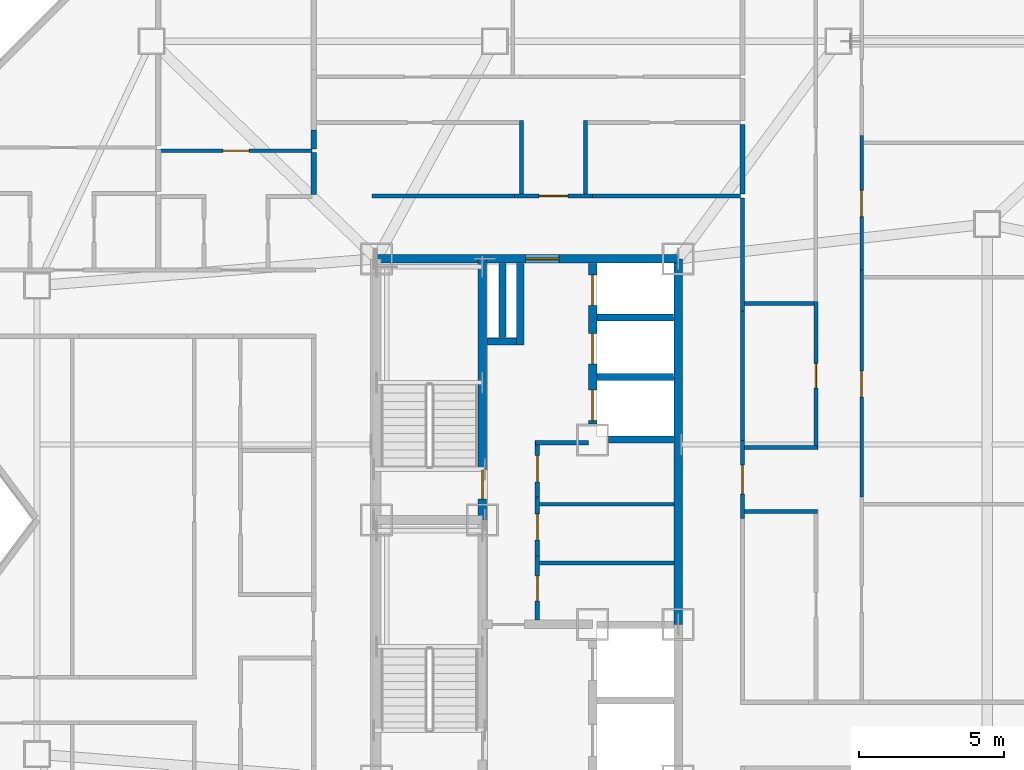
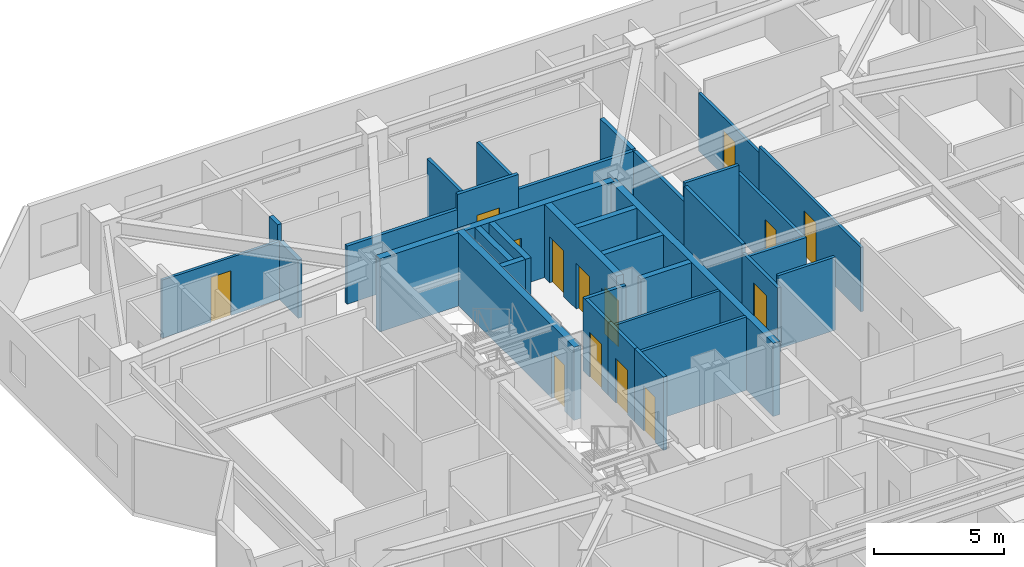
# One storey, part 8 of 13: 34 walls, 14 doors, 14 openings.
"""IFC4 building model written with IfcOpenShell, lengths in metres."""

from ifc_helpers import new_model, si_unit, direction, frame, frame_2d, origin, place, context, subcontext, project, spatial, rectangle, extrude, material, layer, layer_set, type_object, element, fill, save


model = new_model("IFC4")

# Units and contexts
model_context = context("Model", 3, precision=1e-05, world=origin(), true_north=direction((0.0, 1.0)))
body_context = subcontext(model_context, "Body", "Model", "MODEL_VIEW")
ifc_project = project(units=[si_unit("LENGTHUNIT", "METRE"), si_unit("AREAUNIT", "SQUARE_METRE"), si_unit("VOLUMEUNIT", "CUBIC_METRE"), si_unit("PLANEANGLEUNIT", "RADIAN"), si_unit("MASSUNIT", "GRAM", prefix="KILO")], contexts=[model_context])

# Site, building, storey
site_placement = place(None, origin())
site = spatial("IfcSite", under=ifc_project, at=site_placement, CompositionType="ELEMENT")
building_placement = place(site_placement, origin())
building = spatial("IfcBuilding", under=site, at=building_placement, Name="Khamvora Tower", CompositionType="ELEMENT")
storey_placement = place(building_placement, frame((0.0, 0.0, 196.050048828125)))
storey = spatial("IfcBuildingStorey", under=building, at=storey_placement, Name="L50", CompositionType="ELEMENT", Elevation=196.050048828125)

# Wall, opening, door
ifc_material_1 = material(Name="Concrete C50/60", Category="concrete")
ifc_layer_1 = layer(ifc_material_1, 0.300048828125)
ifc_layer_set_1 = layer_set([ifc_layer_1], Name="Concrete C50/60")
wall_type_1 = type_object("IfcWallType", Name="WAL-CORE-300", PredefinedType="SHEAR", material=ifc_layer_set_1)
wall_1_placement = place(storey_placement, frame((29.0, 37.0, 0.0), z_axis=(0.0, 0.0, 1.0), x_axis=(1.0, 0.0, 0.0)))
wall_1 = element("IfcWall", 1, at=wall_1_placement, inside=storey, type_object=wall_type_1, Name="L50 central core north wall", PredefinedType="SHEAR", context=body_context, shape_type="SweptSolid", body=[
    extrude(rectangle(XDim=10.39990234375, YDim=0.300048828125, at=frame_2d((5.199951171875, 0.0))), origin(), (0.0, 0.0, 1.0), 3.429931640625),
])
opening_1_placement = place(wall_1_placement, frame((5.139892578125, 0.0, 0.0)))
opening_1 = element("IfcOpeningElement", 2, at=opening_1_placement, cuts=wall_1, Name="Opening D-SC1", PredefinedType="OPENING", context=body_context, shape_type="SweptSolid", body=[
    extrude(rectangle(XDim=1.14990234375, YDim=2.199951171875, at=frame_2d((0.574951171875, 1.10009765625))), frame((0.0, 0.159912109375, 0.0), z_axis=(0.0, -1.0, 0.0), x_axis=(1.0, 0.0, 0.0)), (0.0, 0.0, 1.0), 0.320068359375),
])
ifc_material_2 = material(Name="Powder-Coated Steel and Hardwood Leaf", Category="steel")
door_type_1 = type_object("IfcDoorType", Name="DOR-SCHL-1150", OperationType="NOTDEFINED", PredefinedType="DOOR", material=ifc_material_2)
door_1_placement = place(opening_1_placement, origin())
door_1 = element("IfcDoor", 3, at=door_1_placement, inside=storey, type_object=door_type_1, Name="L50 north core lobby to corridor fire door", OperationType="SINGLE_SWING_RIGHT", OverallHeight=2.199951171875, OverallWidth=1.14990234375, PredefinedType="DOOR", context=body_context, shape_type="SweptSolid", body=[
    extrude(rectangle(XDim=1.14990234375, YDim=2.199951171875, at=frame_2d((0.574951171875, 1.10009765625))), frame((0.0, 0.02490234375, 0.0), z_axis=(0.0, -1.0, 0.0), x_axis=(1.0, 0.0, 0.0)), (0.0, 0.0, 1.0), 0.050048828125),
])
fill(opening_1, door_1)

# Wall
wall_2_placement = place(storey_placement, frame((39.39990234375, 24.39990234375, 0.0), z_axis=(0.0, 0.0, 1.0), x_axis=(0.0, 1.0, 0.0)))
element("IfcWall", 4, at=wall_2_placement, inside=storey, type_object=wall_type_1, Name="L50 central core east north wall", PredefinedType="SHEAR", context=body_context, shape_type="SweptSolid", body=[
    extrude(rectangle(XDim=12.60009765625, YDim=0.300048828125, at=frame_2d((6.300048828125, 0.0))), origin(), (0.0, 0.0, 1.0), 3.429931640625),
])

# Wall, opening, door
wall_3_placement = place(storey_placement, frame((32.64990234375, 28.0, 0.0), z_axis=(0.0, 0.0, 1.0), x_axis=(0.0, 1.0, 0.0)))
wall_3 = element("IfcWall", 5, at=wall_3_placement, inside=storey, type_object=wall_type_1, Name="L50 central core stair north spine wall", PredefinedType="SHEAR", context=body_context, shape_type="SweptSolid", body=[
    extrude(rectangle(XDim=9.0, YDim=0.300048828125, at=frame_2d((4.5, 0.0))), origin(), (0.0, 0.0, 1.0), 3.429931640625),
])
opening_2_placement = place(wall_3_placement, frame((0.719970703125, 0.0, 0.0)))
opening_2 = element("IfcOpeningElement", 6, at=opening_2_placement, cuts=wall_3, Name="Opening D-ST1", PredefinedType="OPENING", context=body_context, shape_type="SweptSolid", body=[
    extrude(rectangle(XDim=1.0, YDim=2.14990234375, at=frame_2d((0.5, 1.074951171875))), frame((0.0, 0.159912109375, 0.0), z_axis=(0.0, -1.0, 0.0), x_axis=(1.0, 0.0, 0.0)), (0.0, 0.0, 1.0), 0.320068359375),
])
door_type_2 = type_object("IfcDoorType", Name="DOR-STAIR-1000", OperationType="NOTDEFINED", PredefinedType="DOOR", material=ifc_material_2)
door_2_placement = place(opening_2_placement, origin())
door_2 = element("IfcDoor", 7, at=door_2_placement, inside=storey, type_object=door_type_2, Name="L50 exit stair ST-02 fire door", OperationType="SINGLE_SWING_RIGHT", OverallHeight=2.14990234375, OverallWidth=1.0, PredefinedType="DOOR", context=body_context, shape_type="SweptSolid", body=[
    extrude(rectangle(XDim=1.0, YDim=2.14990234375, at=frame_2d((0.5, 1.074951171875))), frame((0.0, 0.02490234375, 0.0), z_axis=(0.0, -1.0, 0.0), x_axis=(1.0, 0.0, 0.0)), (0.0, 0.0, 1.0), 0.050048828125),
])
fill(opening_2, door_2)

# Wall, openings, doors
wall_4_placement = place(storey_placement, frame((36.449951171875, 31.300048828125, 0.0), z_axis=(0.0, 0.0, 1.0), x_axis=(0.0, 1.0, 0.0)))
wall_4 = element("IfcWall", 8, at=wall_4_placement, inside=storey, type_object=wall_type_1, Name="L50 central core lift bank central wall", PredefinedType="SHEAR", context=body_context, shape_type="SweptSolid", body=[
    extrude(rectangle(XDim=5.5458984375, YDim=0.300048828125, at=frame_2d((2.77294921875, 0.0))), origin(), (0.0, 0.0, 1.0), 3.429931640625),
])
opening_3_placement = place(wall_4_placement, frame((0.1201171875, 0.0, 0.0)))
opening_3 = element("IfcOpeningElement", 9, at=opening_3_placement, cuts=wall_4, Name="Opening LD-PL", PredefinedType="OPENING", context=body_context, shape_type="SweptSolid", body=[
    extrude(rectangle(XDim=1.050048828125, YDim=2.14990234375, at=frame_2d((0.52490234375, 1.074951171875))), frame((0.0, 0.159912109375, 0.0), z_axis=(0.0, -1.0, 0.0), x_axis=(1.0, 0.0, 0.0)), (0.0, 0.0, 1.0), 0.320068359375),
])
opening_4_placement = place(wall_4_placement, frame((2.074951171875, 0.0, 0.0)))
opening_4 = element("IfcOpeningElement", 10, at=opening_4_placement, cuts=wall_4, Name="Opening LD-PL", PredefinedType="OPENING", context=body_context, shape_type="SweptSolid", body=[
    extrude(rectangle(XDim=1.050048828125, YDim=2.14990234375, at=frame_2d((0.52490234375, 1.074951171875))), frame((0.0, 0.159912109375, 0.0), z_axis=(0.0, -1.0, 0.0), x_axis=(1.0, 0.0, 0.0)), (0.0, 0.0, 1.0), 0.320068359375),
])
opening_5_placement = place(wall_4_placement, frame((4.094970703125, 0.0, 0.0)))
opening_5 = element("IfcOpeningElement", 11, at=opening_5_placement, cuts=wall_4, Name="Opening LD-PL", PredefinedType="OPENING", context=body_context, shape_type="SweptSolid", body=[
    extrude(rectangle(XDim=1.050048828125, YDim=2.14990234375, at=frame_2d((0.52490234375, 1.074951171875))), frame((0.0, 0.159912109375, 0.0), z_axis=(0.0, -1.0, 0.0), x_axis=(1.0, 0.0, 0.0)), (0.0, 0.0, 1.0), 0.320068359375),
])
door_type_3 = type_object("IfcDoorType", Name="DOR-LIFT-1050", OperationType="SLIDING_TO_LEFT", PredefinedType="DOOR", material=ifc_material_2)
door_3_placement = place(opening_3_placement, origin())
door_3 = element("IfcDoor", 12, at=door_3_placement, inside=storey, type_object=door_type_3, Name="L50 lift landing sliding door PH-01", OperationType="SLIDING_TO_LEFT", OverallHeight=2.14990234375, OverallWidth=1.050048828125, PredefinedType="DOOR", context=body_context, shape_type="SweptSolid", body=[
    extrude(rectangle(XDim=1.050048828125, YDim=2.14990234375, at=frame_2d((0.52490234375, 1.074951171875))), frame((0.0, 0.02490234375, 0.0), z_axis=(0.0, -1.0, 0.0), x_axis=(1.0, 0.0, 0.0)), (0.0, 0.0, 1.0), 0.050048828125),
])
fill(opening_3, door_3)
door_4_placement = place(opening_4_placement, origin())
door_4 = element("IfcDoor", 13, at=door_4_placement, inside=storey, type_object=door_type_3, Name="L50 lift landing sliding door PH-02", OperationType="SLIDING_TO_LEFT", OverallHeight=2.14990234375, OverallWidth=1.050048828125, PredefinedType="DOOR", context=body_context, shape_type="SweptSolid", body=[
    extrude(rectangle(XDim=1.050048828125, YDim=2.14990234375, at=frame_2d((0.52490234375, 1.074951171875))), frame((0.0, 0.02490234375, 0.0), z_axis=(0.0, -1.0, 0.0), x_axis=(1.0, 0.0, 0.0)), (0.0, 0.0, 1.0), 0.050048828125),
])
fill(opening_4, door_4)
door_5_placement = place(opening_5_placement, origin())
door_5 = element("IfcDoor", 14, at=door_5_placement, inside=storey, type_object=door_type_3, Name="L50 lift landing sliding door PH-03", OperationType="SLIDING_TO_LEFT", OverallHeight=2.14990234375, OverallWidth=1.050048828125, PredefinedType="DOOR", context=body_context, shape_type="SweptSolid", body=[
    extrude(rectangle(XDim=1.050048828125, YDim=2.14990234375, at=frame_2d((0.52490234375, 1.074951171875))), frame((0.0, 0.02490234375, 0.0), z_axis=(0.0, -1.0, 0.0), x_axis=(1.0, 0.0, 0.0)), (0.0, 0.0, 1.0), 0.050048828125),
])
fill(opening_5, door_5)

# Wall, opening, door
ifc_material_3 = material(Name="Fire-Rated Drywall and Steel Stud", Category="steel")
ifc_layer_2 = layer(ifc_material_3, 0.14990234375)
ifc_layer_set_2 = layer_set([ifc_layer_2], Name="Fire-Rated Drywall and Steel Stud")
wall_type_2 = type_object("IfcWallType", Name="WAL-CORR-150", PredefinedType="STANDARD", material=ifc_layer_set_2)
wall_5_placement = place(storey_placement, frame((34.544921875, 26.763916015625, 0.0), z_axis=(0.0, 0.0, 1.0), x_axis=(0.0, -1.0, 0.0)))
wall_5 = element("IfcWall", 15, at=wall_5_placement, inside=storey, type_object=wall_type_2, Name="L50 interior partition wall 001", PredefinedType="STANDARD", context=body_context, shape_type="SweptSolid", body=[
    extrude(rectangle(XDim=2.219970703125, YDim=0.14990234375, at=frame_2d((1.10986328125, 0.0))), origin(), (0.0, 0.0, 1.0), 3.429931640625),
])
opening_6_placement = place(wall_5_placement, frame((0.7060546875, 0.0, 0.0)))
opening_6 = element("IfcOpeningElement", 16, at=opening_6_placement, cuts=wall_5, Name="Opening D-WC1", PredefinedType="OPENING", context=body_context, shape_type="SweptSolid", body=[
    extrude(rectangle(XDim=0.85009765625, YDim=2.10009765625, at=frame_2d((0.425048828125, 1.050048828125))), frame((0.0, 0.0849609375, 0.0), z_axis=(0.0, -1.0, 0.0), x_axis=(1.0, 0.0, 0.0)), (0.0, 0.0, 1.0), 0.169921875),
])
door_type_4 = type_object("IfcDoorType", Name="DOR-WET-850", OperationType="NOTDEFINED", PredefinedType="DOOR", material=ifc_material_2)
door_6_placement = place(opening_6_placement, origin())
door_6 = element("IfcDoor", 17, at=door_6_placement, inside=storey, type_object=door_type_4, Name="L50 interior door PHL-CS1", OperationType="SINGLE_SWING_LEFT", OverallHeight=2.10009765625, OverallWidth=0.85009765625, PredefinedType="DOOR", context=body_context, shape_type="SweptSolid", body=[
    extrude(rectangle(XDim=0.85009765625, YDim=2.10009765625, at=frame_2d((0.425048828125, 1.050048828125))), frame((0.0, 0.02490234375, 0.0), z_axis=(0.0, -1.0, 0.0), x_axis=(1.0, 0.0, 0.0)), (0.0, 0.0, 1.0), 0.050048828125),
])
fill(opening_6, door_6)

wall_6_placement = place(storey_placement, frame((34.544921875, 28.7939453125, 0.0), z_axis=(0.0, 0.0, 1.0), x_axis=(0.0, -1.0, 0.0)))
wall_6 = element("IfcWall", 18, at=wall_6_placement, inside=storey, type_object=wall_type_2, Name="L50 interior partition wall 002", PredefinedType="STANDARD", context=body_context, shape_type="SweptSolid", body=[
    extrude(rectangle(XDim=2.030029296875, YDim=0.14990234375, at=frame_2d((1.01513671875, 0.0))), origin(), (0.0, 0.0, 1.0), 3.429931640625),
])
opening_7_placement = place(wall_6_placement, frame((0.5859375, 0.0, 0.0)))
opening_7 = element("IfcOpeningElement", 19, at=opening_7_placement, cuts=wall_6, Name="Opening D-RM1", PredefinedType="OPENING", context=body_context, shape_type="SweptSolid", body=[
    extrude(rectangle(XDim=0.89990234375, YDim=2.10009765625, at=frame_2d((0.449951171875, 1.050048828125))), frame((0.0, 0.0849609375, 0.0), z_axis=(0.0, -1.0, 0.0), x_axis=(1.0, 0.0, 0.0)), (0.0, 0.0, 1.0), 0.169921875),
])
door_type_5 = type_object("IfcDoorType", Name="DOR-ROOM-900", OperationType="NOTDEFINED", PredefinedType="DOOR", material=ifc_material_2)
door_7_placement = place(opening_7_placement, origin())
door_7 = element("IfcDoor", 20, at=door_7_placement, inside=storey, type_object=door_type_5, Name="L50 interior door PHL-CS2", OperationType="SINGLE_SWING_RIGHT", OverallHeight=2.10009765625, OverallWidth=0.89990234375, PredefinedType="DOOR", context=body_context, shape_type="SweptSolid", body=[
    extrude(rectangle(XDim=0.89990234375, YDim=2.10009765625, at=frame_2d((0.449951171875, 1.050048828125))), frame((0.0, 0.02490234375, 0.0), z_axis=(0.0, -1.0, 0.0), x_axis=(1.0, 0.0, 0.0)), (0.0, 0.0, 1.0), 0.050048828125),
])
fill(opening_7, door_7)

# Wall
wall_7_placement = place(storey_placement, frame((36.300048828125, 30.6650390625, 0.0), z_axis=(0.0, 0.0, 1.0), x_axis=(-1.0, 0.0, 0.0)))
element("IfcWall", 21, at=wall_7_placement, inside=storey, type_object=wall_type_2, Name="L50 interior partition wall 003", PredefinedType="STANDARD", context=body_context, shape_type="SweptSolid", body=[
    extrude(rectangle(XDim=1.820068359375, YDim=0.14990234375, at=frame_2d((0.91015625, 0.0))), origin(), (0.0, 0.0, 1.0), 3.429931640625),
])

# Wall, opening, door
wall_8_placement = place(storey_placement, frame((34.544921875, 30.72998046875, 0.0), z_axis=(0.0, 0.0, 1.0), x_axis=(0.0, -1.0, 0.0)))
wall_8 = element("IfcWall", 22, at=wall_8_placement, inside=storey, type_object=wall_type_2, Name="L50 interior partition wall 004", PredefinedType="STANDARD", context=body_context, shape_type="SweptSolid", body=[
    extrude(rectangle(XDim=1.93603515625, YDim=0.14990234375, at=frame_2d((0.968017578125, 0.0))), origin(), (0.0, 0.0, 1.0), 3.429931640625),
])
opening_8_placement = place(wall_8_placement, frame((0.51806640625, 0.0, 0.0)))
opening_8 = element("IfcOpeningElement", 23, at=opening_8_placement, cuts=wall_8, Name="Opening D-RM1", PredefinedType="OPENING", context=body_context, shape_type="SweptSolid", body=[
    extrude(rectangle(XDim=0.89990234375, YDim=2.10009765625, at=frame_2d((0.449951171875, 1.050048828125))), frame((0.0, 0.0849609375, 0.0), z_axis=(0.0, -1.0, 0.0), x_axis=(1.0, 0.0, 0.0)), (0.0, 0.0, 1.0), 0.169921875),
])
door_8_placement = place(opening_8_placement, origin())
door_8 = element("IfcDoor", 24, at=door_8_placement, inside=storey, type_object=door_type_5, Name="L50 interior door PHL-CS3", OperationType="SINGLE_SWING_LEFT", OverallHeight=2.10009765625, OverallWidth=0.89990234375, PredefinedType="DOOR", context=body_context, shape_type="SweptSolid", body=[
    extrude(rectangle(XDim=0.89990234375, YDim=2.10009765625, at=frame_2d((0.449951171875, 1.050048828125))), frame((0.0, 0.02490234375, 0.0), z_axis=(0.0, -1.0, 0.0), x_axis=(1.0, 0.0, 0.0)), (0.0, 0.0, 1.0), 0.050048828125),
])
fill(opening_8, door_8)

wall_9_placement = place(storey_placement, frame((33.75, 39.1650390625, 0.0), z_axis=(0.0, 0.0, 1.0), x_axis=(1.0, 0.0, 0.0)))
wall_9 = element("IfcWall", 25, at=wall_9_placement, inside=storey, type_object=wall_type_2, Name="L50 interior partition wall 025", PredefinedType="STANDARD", context=body_context, shape_type="SweptSolid", body=[
    extrude(rectangle(XDim=2.697998046875, YDim=0.14990234375, at=frame_2d((1.34912109375, 0.0))), origin(), (0.0, 0.0, 1.0), 3.429931640625),
])
opening_9_placement = place(wall_9_placement, frame((0.84912109375, 0.0, 0.0)))
opening_9 = element("IfcOpeningElement", 26, at=opening_9_placement, cuts=wall_9, Name="Opening D-U1", PredefinedType="OPENING", context=body_context, shape_type="SweptSolid", body=[
    extrude(rectangle(XDim=1.0, YDim=2.14990234375, at=frame_2d((0.5, 1.074951171875))), frame((0.0, 0.0849609375, 0.0), z_axis=(0.0, -1.0, 0.0), x_axis=(1.0, 0.0, 0.0)), (0.0, 0.0, 1.0), 0.169921875),
])
door_type_6 = type_object("IfcDoorType", Name="DOR-UNIT-1000", OperationType="NOTDEFINED", PredefinedType="DOOR", material=ifc_material_2)
door_9_placement = place(opening_9_placement, origin())
door_9 = element("IfcDoor", 27, at=door_9_placement, inside=storey, type_object=door_type_6, Name="L50 interior door COR-50NAH", OperationType="SINGLE_SWING_LEFT", OverallHeight=2.14990234375, OverallWidth=1.0, PredefinedType="DOOR", context=body_context, shape_type="SweptSolid", body=[
    extrude(rectangle(XDim=1.0, YDim=2.14990234375, at=frame_2d((0.5, 1.074951171875))), frame((0.0, 0.02490234375, 0.0), z_axis=(0.0, -1.0, 0.0), x_axis=(1.0, 0.0, 0.0)), (0.0, 0.0, 1.0), 0.050048828125),
])
fill(opening_9, door_9)

# Walls
wall_10_placement = place(storey_placement, frame((36.447998046875, 39.1650390625, 0.0), z_axis=(0.0, 0.0, 1.0), x_axis=(1.0, 0.0, 0.0)))
element("IfcWall", 28, at=wall_10_placement, inside=storey, type_object=wall_type_2, Name="L50 interior partition wall 026", PredefinedType="STANDARD", context=body_context, shape_type="SweptSolid", body=[
    extrude(rectangle(XDim=5.10205078125, YDim=0.14990234375, at=frame_2d((2.551025390625, 0.0))), origin(), (0.0, 0.0, 1.0), 2.724853515625),
])
wall_11_placement = place(storey_placement, frame((28.85009765625, 39.1650390625, 0.0), z_axis=(0.0, 0.0, 1.0), x_axis=(1.0, 0.0, 0.0)))
element("IfcWall", 29, at=wall_11_placement, inside=storey, type_object=wall_type_2, Name="L50 interior partition wall 027", PredefinedType="STANDARD", context=body_context, shape_type="SweptSolid", body=[
    extrude(rectangle(XDim=4.89990234375, YDim=0.14990234375, at=frame_2d((2.449951171875, 0.0))), origin(), (0.0, 0.0, 1.0), 2.724853515625),
])
wall_12_placement = place(storey_placement, frame((41.614990234375, 39.10009765625, 0.0), z_axis=(0.0, 0.0, 1.0), x_axis=(0.0, -1.0, 0.0)))
element("IfcWall", 30, at=wall_12_placement, inside=storey, type_object=wall_type_2, Name="L50 interior partition wall 034", PredefinedType="STANDARD", context=body_context, shape_type="SweptSolid", body=[
    extrude(rectangle(XDim=3.89306640625, YDim=0.14990234375, at=frame_2d((1.946533203125, 0.0))), origin(), (0.0, 0.0, 1.0), 2.724853515625),
])

# Wall, opening, door
wall_13_placement = place(storey_placement, frame((41.614990234375, 30.739990234375, 0.0), z_axis=(0.0, 0.0, 1.0), x_axis=(0.0, -1.0, 0.0)))
wall_13 = element("IfcWall", 31, at=wall_13_placement, inside=storey, type_object=wall_type_2, Name="L50 interior partition wall 035", PredefinedType="STANDARD", context=body_context, shape_type="SweptSolid", body=[
    extrude(rectangle(XDim=2.697998046875, YDim=0.14990234375, at=frame_2d((1.34912109375, 0.0))), origin(), (0.0, 0.0, 1.0), 3.012939453125),
])
opening_10_placement = place(wall_13_placement, frame((0.84912109375, 0.0, 0.0)))
opening_10 = element("IfcOpeningElement", 32, at=opening_10_placement, cuts=wall_13, Name="Opening D-U1", PredefinedType="OPENING", context=body_context, shape_type="SweptSolid", body=[
    extrude(rectangle(XDim=1.0, YDim=2.14990234375, at=frame_2d((0.5, 1.074951171875))), frame((0.0, 0.0849609375, 0.0), z_axis=(0.0, -1.0, 0.0), x_axis=(1.0, 0.0, 0.0)), (0.0, 0.0, 1.0), 0.169921875),
])
door_10_placement = place(opening_10_placement, origin())
door_10 = element("IfcDoor", 33, at=door_10_placement, inside=storey, type_object=door_type_6, Name="L50 interior door COR-50EBH", OperationType="SINGLE_SWING_LEFT", OverallHeight=2.14990234375, OverallWidth=1.0, PredefinedType="DOOR", context=body_context, shape_type="SweptSolid", body=[
    extrude(rectangle(XDim=1.0, YDim=2.14990234375, at=frame_2d((0.5, 1.074951171875))), frame((0.0, 0.02490234375, 0.0), z_axis=(0.0, -1.0, 0.0), x_axis=(1.0, 0.0, 0.0)), (0.0, 0.0, 1.0), 0.050048828125),
])
fill(opening_10, door_10)

# Walls
wall_14_placement = place(storey_placement, frame((41.614990234375, 35.20703125, 0.0), z_axis=(0.0, 0.0, 1.0), x_axis=(0.0, -1.0, 0.0)))
element("IfcWall", 34, at=wall_14_placement, inside=storey, type_object=wall_type_2, Name="L50 interior partition wall 037", PredefinedType="STANDARD", context=body_context, shape_type="SweptSolid", body=[
    extrude(rectangle(XDim=4.467041015625, YDim=0.14990234375, at=frame_2d((2.2333984375, 0.0))), origin(), (0.0, 0.0, 1.0), 3.429931640625),
])
ifc_material_4 = material(Name="Acoustic Double-Stud Fire Wall", Category="gypsum")
ifc_layer_3 = layer(ifc_material_4, 0.179931640625)
ifc_layer_set_3 = layer_set([ifc_layer_3], Name="Acoustic Double-Stud Fire Wall")
wall_type_3 = type_object("IfcWallType", Name="WAL-CORR-180", PredefinedType="STANDARD", material=ifc_layer_set_3)
wall_15_placement = place(storey_placement, frame((26.8349609375, 40.659912109375, 0.0), z_axis=(0.0, 0.0, 1.0), x_axis=(0.0, -1.0, 0.0)))
element("IfcWall", 35, at=wall_15_placement, inside=storey, type_object=wall_type_3, Name="L50 interior partition wall 078", PredefinedType="STANDARD", context=body_context, shape_type="SweptSolid", body=[
    extrude(rectangle(XDim=1.449951171875, YDim=0.179931640625, at=frame_2d((0.72509765625, 0.0))), origin(), (0.0, 0.0, 1.0), 2.724853515625),
])
wall_16_placement = place(storey_placement, frame((26.8349609375, 41.446044921875, 0.0), z_axis=(0.0, 0.0, 1.0), x_axis=(0.0, -1.0, 0.0)))
element("IfcWall", 36, at=wall_16_placement, inside=storey, type_object=wall_type_3, Name="L50 interior partition wall 080", PredefinedType="STANDARD", context=body_context, shape_type="SweptSolid", body=[
    extrude(rectangle(XDim=0.656005859375, YDim=0.179931640625, at=frame_2d((0.328125, 0.0))), origin(), (0.0, 0.0, 1.0), 3.429931640625),
])
wall_17_placement = place(storey_placement, frame((41.614990234375, 41.6298828125, 0.0), z_axis=(0.0, 0.0, 1.0), x_axis=(0.0, -1.0, 0.0)))
element("IfcWall", 37, at=wall_17_placement, inside=storey, type_object=wall_type_3, Name="L50 interior partition wall 099", PredefinedType="STANDARD", context=body_context, shape_type="SweptSolid", body=[
    extrude(rectangle(XDim=2.39990234375, YDim=0.179931640625, at=frame_2d((1.199951171875, 0.0))), origin(), (0.0, 0.0, 1.0), 2.724853515625),
])
ifc_material_5 = material(Name="Gypsum Plasterboard Partition", Category="gypsum")
ifc_layer_4 = layer(ifc_material_5, 0.1201171875)
ifc_layer_set_4 = layer_set([ifc_layer_4], Name="Gypsum Plasterboard Partition")
wall_type_4 = type_object("IfcWallType", Name="WAL-PART-120", PredefinedType="PARTITIONING", material=ifc_layer_set_4)
wall_18_placement = place(storey_placement, frame((34.612060546875, 28.544921875, 0.0), z_axis=(0.0, 0.0, 1.0), x_axis=(1.0, 0.0, 0.0)))
element("IfcWall", 38, at=wall_18_placement, inside=storey, type_object=wall_type_4, Name="L50 interior partition wall 006", PredefinedType="PARTITIONING", context=body_context, shape_type="SweptSolid", body=[
    extrude(rectangle(XDim=4.64404296875, YDim=0.1201171875, at=frame_2d((2.322021484375, 0.0))), origin(), (0.0, 0.0, 1.0), 3.429931640625),
])

# Wall, opening, door
wall_19_placement = place(storey_placement, frame((21.556884765625, 40.72509765625, 0.0), z_axis=(0.0, 0.0, 1.0), x_axis=(1.0, 0.0, 0.0)))
wall_19 = element("IfcWall", 39, at=wall_19_placement, inside=storey, type_object=wall_type_4, Name="L50 interior partition wall 077", PredefinedType="PARTITIONING", context=body_context, shape_type="SweptSolid", body=[
    extrude(rectangle(XDim=5.213134765625, YDim=0.1201171875, at=frame_2d((2.6064453125, 0.0))), origin(), (0.0, 0.0, 1.0), 2.724853515625),
])
opening_11_placement = place(wall_19_placement, frame((2.156005859375, 0.0, 0.0)))
opening_11 = element("IfcOpeningElement", 40, at=opening_11_placement, cuts=wall_19, Name="Opening D-RM1", PredefinedType="OPENING", context=body_context, shape_type="SweptSolid", body=[
    extrude(rectangle(XDim=0.89990234375, YDim=2.10009765625, at=frame_2d((0.449951171875, 1.050048828125))), frame((0.0, 0.070068359375, 0.0), z_axis=(0.0, -1.0, 0.0), x_axis=(1.0, 0.0, 0.0)), (0.0, 0.0, 1.0), 0.14013671875),
])
door_11_placement = place(opening_11_placement, origin())
door_11 = element("IfcDoor", 41, at=door_11_placement, inside=storey, type_object=door_type_5, Name="L50 interior door 50WCH-50WCR1", OperationType="SINGLE_SWING_RIGHT", OverallHeight=2.10009765625, OverallWidth=0.89990234375, PredefinedType="DOOR", context=body_context, shape_type="SweptSolid", body=[
    extrude(rectangle(XDim=0.89990234375, YDim=2.10009765625, at=frame_2d((0.449951171875, 1.050048828125))), frame((0.0, 0.02490234375, 0.0), z_axis=(0.0, -1.0, 0.0), x_axis=(1.0, 0.0, 0.0)), (0.0, 0.0, 1.0), 0.050048828125),
])
fill(opening_11, door_11)

wall_20_placement = place(storey_placement, frame((45.72509765625, 36.614013671875, 0.0), z_axis=(0.0, 0.0, 1.0), x_axis=(0.0, -1.0, 0.0)))
wall_20 = element("IfcWall", 42, at=wall_20_placement, inside=storey, type_object=wall_type_4, Name="L50 interior partition wall 122", PredefinedType="PARTITIONING", context=body_context, shape_type="SweptSolid", body=[
    extrude(rectangle(XDim=7.824951171875, YDim=0.1201171875, at=frame_2d((3.91259765625, 0.0))), origin(), (0.0, 0.0, 1.0), 3.012939453125),
])
opening_12_placement = place(wall_20_placement, frame((3.48291015625, 0.0, 0.0)))
opening_12 = element("IfcOpeningElement", 43, at=opening_12_placement, cuts=wall_20, Name="Opening D-RM1", PredefinedType="OPENING", context=body_context, shape_type="SweptSolid", body=[
    extrude(rectangle(XDim=0.89990234375, YDim=2.10009765625, at=frame_2d((0.449951171875, 1.050048828125))), frame((0.0, 0.070068359375, 0.0), z_axis=(0.0, -1.0, 0.0), x_axis=(1.0, 0.0, 0.0)), (0.0, 0.0, 1.0), 0.14013671875),
])
door_12_placement = place(opening_12_placement, origin())
door_12 = element("IfcDoor", 44, at=door_12_placement, inside=storey, type_object=door_type_5, Name="L50 interior door 50EBH-50EBR2", OperationType="SINGLE_SWING_LEFT", OverallHeight=2.10009765625, OverallWidth=0.89990234375, PredefinedType="DOOR", context=body_context, shape_type="SweptSolid", body=[
    extrude(rectangle(XDim=0.89990234375, YDim=2.10009765625, at=frame_2d((0.449951171875, 1.050048828125))), frame((0.0, 0.02490234375, 0.0), z_axis=(0.0, -1.0, 0.0), x_axis=(1.0, 0.0, 0.0)), (0.0, 0.0, 1.0), 0.050048828125),
])
fill(opening_12, door_12)

wall_21_placement = place(storey_placement, frame((45.72509765625, 41.243896484375, 0.0), z_axis=(0.0, 0.0, 1.0), x_axis=(0.0, -1.0, 0.0)))
wall_21 = element("IfcWall", 45, at=wall_21_placement, inside=storey, type_object=wall_type_4, Name="L50 interior partition wall 123", PredefinedType="PARTITIONING", context=body_context, shape_type="SweptSolid", body=[
    extrude(rectangle(XDim=4.6298828125, YDim=0.1201171875, at=frame_2d((2.31494140625, 0.0))), origin(), (0.0, 0.0, 1.0), 2.724853515625),
])
opening_13_placement = place(wall_21_placement, frame((1.885986328125, 0.0, 0.0)))
opening_13 = element("IfcOpeningElement", 46, at=opening_13_placement, cuts=wall_21, Name="Opening D-RM1", PredefinedType="OPENING", context=body_context, shape_type="SweptSolid", body=[
    extrude(rectangle(XDim=0.89990234375, YDim=2.10009765625, at=frame_2d((0.449951171875, 1.050048828125))), frame((0.0, 0.070068359375, 0.0), z_axis=(0.0, -1.0, 0.0), x_axis=(1.0, 0.0, 0.0)), (0.0, 0.0, 1.0), 0.14013671875),
])
door_13_placement = place(opening_13_placement, origin())
door_13 = element("IfcDoor", 47, at=door_13_placement, inside=storey, type_object=door_type_5, Name="L50 interior door 50EBH-50EBR3", OperationType="SINGLE_SWING_RIGHT", OverallHeight=2.10009765625, OverallWidth=0.89990234375, PredefinedType="DOOR", context=body_context, shape_type="SweptSolid", body=[
    extrude(rectangle(XDim=0.89990234375, YDim=2.10009765625, at=frame_2d((0.449951171875, 1.050048828125))), frame((0.0, 0.02490234375, 0.0), z_axis=(0.0, -1.0, 0.0), x_axis=(1.0, 0.0, 0.0)), (0.0, 0.0, 1.0), 0.050048828125),
])
fill(opening_13, door_13)

# Walls
ifc_material_6 = material(Name="Concrete C40/50", Category="concrete")
ifc_layer_5 = layer(ifc_material_6, 0.25)
ifc_layer_set_5 = layer_set([ifc_layer_5], Name="Concrete C40/50")
wall_type_5 = type_object("IfcWallType", Name="WAL-PODS-250", PredefinedType="SHEAR", material=ifc_layer_set_5)
wall_22_placement = place(storey_placement, frame((37.00390625, 30.77490234375, 0.0), z_axis=(0.0, 0.0, 1.0), x_axis=(1.0, 0.0, 0.0)))
element("IfcWall", 48, at=wall_22_placement, inside=storey, type_object=wall_type_5, Name="L50 high-rise lift shaft south enclosure wall PH-01", PredefinedType="SHEAR", context=body_context, shape_type="SweptSolid", body=[
    extrude(rectangle(XDim=2.2421875, YDim=0.25, at=frame_2d((1.12109375, 0.0))), origin(), (0.0, 0.0, 1.0), 3.429931640625),
])
for number, where, z_axis, x_axis, name in (
    (49, (36.60400390625, 32.925048828125, 0.0), (0.0, 0.0, 1.0), (1.0, 0.0, 0.0), "L50 lift shaft divider wall PH-01"),
    (50, (36.60400390625, 34.97509765625, 0.0), (0.0, 0.0, 1.0), (1.0, 0.0, 0.0), "L50 lift shaft divider wall PH-02"),
):
    element("IfcWall", number, at=place(storey_placement, frame(where, z_axis=z_axis, x_axis=x_axis)), inside=storey, type_object=wall_type_5, Name=name, PredefinedType="SHEAR", context=body_context, shape_type="SweptSolid", body=[
        extrude(rectangle(XDim=2.64208984375, YDim=0.25, at=frame_2d((1.321044921875, 0.0))), origin(), (0.0, 0.0, 1.0), 3.429931640625),
    ])
wall_23_placement = place(storey_placement, frame((33.955078125, 34.02490234375, 0.0), z_axis=(0.0, 0.0, 1.0), x_axis=(0.0, 1.0, 0.0)))
element("IfcWall", 51, at=wall_23_placement, inside=storey, type_object=wall_type_5, Name="L50 vertical MEP riser shaft east enclosure wall", PredefinedType="SHEAR", context=body_context, shape_type="SweptSolid", body=[
    extrude(rectangle(XDim=2.821044921875, YDim=0.25, at=frame_2d((1.41064453125, 0.0))), origin(), (0.0, 0.0, 1.0), 3.429931640625),
])
wall_24_placement = place(storey_placement, frame((32.803955078125, 34.14990234375, 0.0), z_axis=(0.0, 0.0, 1.0), x_axis=(1.0, 0.0, 0.0)))
element("IfcWall", 52, at=wall_24_placement, inside=storey, type_object=wall_type_5, Name="L50 vertical MEP riser shaft south enclosure wall", PredefinedType="SHEAR", context=body_context, shape_type="SweptSolid", body=[
    extrude(rectangle(XDim=1.02197265625, YDim=0.25, at=frame_2d((0.510986328125, 0.0))), origin(), (0.0, 0.0, 1.0), 3.429931640625),
])
wall_25_placement = place(storey_placement, frame((33.340087890625, 34.279052734375, 0.0), z_axis=(0.0, 0.0, 1.0), x_axis=(0.0, 1.0, 0.0)))
element("IfcWall", 53, at=wall_25_placement, inside=storey, type_object=wall_type_5, Name="L50 vertical MEP riser shaft divider enclosure wall", PredefinedType="SHEAR", context=body_context, shape_type="SweptSolid", body=[
    extrude(rectangle(XDim=2.56689453125, YDim=0.25, at=frame_2d((1.283447265625, 0.0))), origin(), (0.0, 0.0, 1.0), 3.429931640625),
])
ifc_material_7 = material(Name="Moisture-Resistant Plasterboard Partition", Category="gypsum")
ifc_layer_6 = layer(ifc_material_7, 0.135009765625)
ifc_layer_set_6 = layer_set([ifc_layer_6], Name="Moisture-Resistant Plasterboard Partition")
wall_type_6 = type_object("IfcWallType", Name="WAL-WET-135", PredefinedType="PARTITIONING", material=ifc_layer_set_6)
wall_26_placement = place(storey_placement, frame((34.612060546875, 26.514892578125, 0.0), z_axis=(0.0, 0.0, 1.0), x_axis=(1.0, 0.0, 0.0)))
element("IfcWall", 54, at=wall_26_placement, inside=storey, type_object=wall_type_6, Name="L50 interior partition wall 005", PredefinedType="PARTITIONING", context=body_context, shape_type="SweptSolid", body=[
    extrude(rectangle(XDim=4.64404296875, YDim=0.135009765625, at=frame_2d((2.322021484375, 0.0))), origin(), (0.0, 0.0, 1.0), 3.429931640625),
])
for number, where, z_axis, x_axis, name in (
    (55, (36.198974609375, 41.760009765625, 0.0), (0.0, 0.0, 1.0), (0.0, -1.0, 0.0), "L50 interior partition wall 093"),
    (56, (33.9990234375, 39.23193359375, 0.0), (0.0, 0.0, 1.0), (0.0, 1.0, 0.0), "L50 interior partition wall 094"),
):
    element("IfcWall", number, at=place(storey_placement, frame(where, z_axis=z_axis, x_axis=x_axis)), inside=storey, type_object=wall_type_6, Name=name, PredefinedType="PARTITIONING", context=body_context, shape_type="SweptSolid", body=[
        extrude(rectangle(XDim=2.528076171875, YDim=0.135009765625, at=frame_2d((1.26416015625, 0.0))), origin(), (0.0, 0.0, 1.0), 3.429931640625),
    ])
wall_27_placement = place(storey_placement, frame((44.080078125, 35.4560546875, 0.0), z_axis=(0.0, 0.0, 1.0), x_axis=(-1.0, 0.0, 0.0)))
element("IfcWall", 57, at=wall_27_placement, inside=storey, type_object=wall_type_6, Name="L50 interior partition wall 116", PredefinedType="PARTITIONING", context=body_context, shape_type="SweptSolid", body=[
    extrude(rectangle(XDim=2.398193359375, YDim=0.135009765625, at=frame_2d((1.19921875, 0.0))), origin(), (0.0, 0.0, 1.0), 3.429931640625),
])
wall_28_placement = place(storey_placement, frame((41.681884765625, 30.490966796875, 0.0), z_axis=(0.0, 0.0, 1.0), x_axis=(1.0, 0.0, 0.0)))
element("IfcWall", 58, at=wall_28_placement, inside=storey, type_object=wall_type_6, Name="L50 interior partition wall 117", PredefinedType="PARTITIONING", context=body_context, shape_type="SweptSolid", body=[
    extrude(rectangle(XDim=2.528076171875, YDim=0.135009765625, at=frame_2d((1.26416015625, 0.0))), origin(), (0.0, 0.0, 1.0), 3.012939453125),
])

# Wall, opening, door
wall_29_placement = place(storey_placement, frame((44.14501953125, 30.426025390625, 0.0), z_axis=(0.0, 0.0, 1.0), x_axis=(0.0, 1.0, 0.0)))
wall_29 = element("IfcWall", 59, at=wall_29_placement, inside=storey, type_object=wall_type_6, Name="L50 interior partition wall 118", PredefinedType="PARTITIONING", context=body_context, shape_type="SweptSolid", body=[
    extrude(rectangle(XDim=5.094970703125, YDim=0.135009765625, at=frame_2d((2.54736328125, 0.0))), origin(), (0.0, 0.0, 1.0), 3.012939453125),
])
opening_14_placement = place(wall_29_placement, frame((2.123046875, 0.0, 0.0)))
opening_14 = element("IfcOpeningElement", 60, at=opening_14_placement, cuts=wall_29, Name="Opening D-WC1", PredefinedType="OPENING", context=body_context, shape_type="SweptSolid", body=[
    extrude(rectangle(XDim=0.85009765625, YDim=2.10009765625, at=frame_2d((0.425048828125, 1.050048828125))), frame((0.0, 0.077392578125, 0.0), z_axis=(0.0, -1.0, 0.0), x_axis=(1.0, 0.0, 0.0)), (0.0, 0.0, 1.0), 0.155029296875),
])
door_14_placement = place(opening_14_placement, origin())
door_14 = element("IfcDoor", 61, at=door_14_placement, inside=storey, type_object=door_type_4, Name="L50 interior door 50EBH-50EBB", OperationType="SINGLE_SWING_RIGHT", OverallHeight=2.10009765625, OverallWidth=0.85009765625, PredefinedType="DOOR", context=body_context, shape_type="SweptSolid", body=[
    extrude(rectangle(XDim=0.85009765625, YDim=2.10009765625, at=frame_2d((0.425048828125, 1.050048828125))), frame((0.0, 0.02490234375, 0.0), z_axis=(0.0, -1.0, 0.0), x_axis=(1.0, 0.0, 0.0)), (0.0, 0.0, 1.0), 0.050048828125),
])
fill(opening_14, door_14)

# Wall
wall_30_placement = place(storey_placement, frame((44.2099609375, 28.291015625, 0.0), z_axis=(0.0, 0.0, 1.0), x_axis=(-1.0, 0.0, 0.0)))
element("IfcWall", 62, at=wall_30_placement, inside=storey, type_object=wall_type_6, Name="L50 interior partition wall 120", PredefinedType="PARTITIONING", context=body_context, shape_type="SweptSolid", body=[
    extrude(rectangle(XDim=2.528076171875, YDim=0.135009765625, at=frame_2d((1.26416015625, 0.0))), origin(), (0.0, 0.0, 1.0), 3.429931640625),
])

save(model, "model.ifc")
